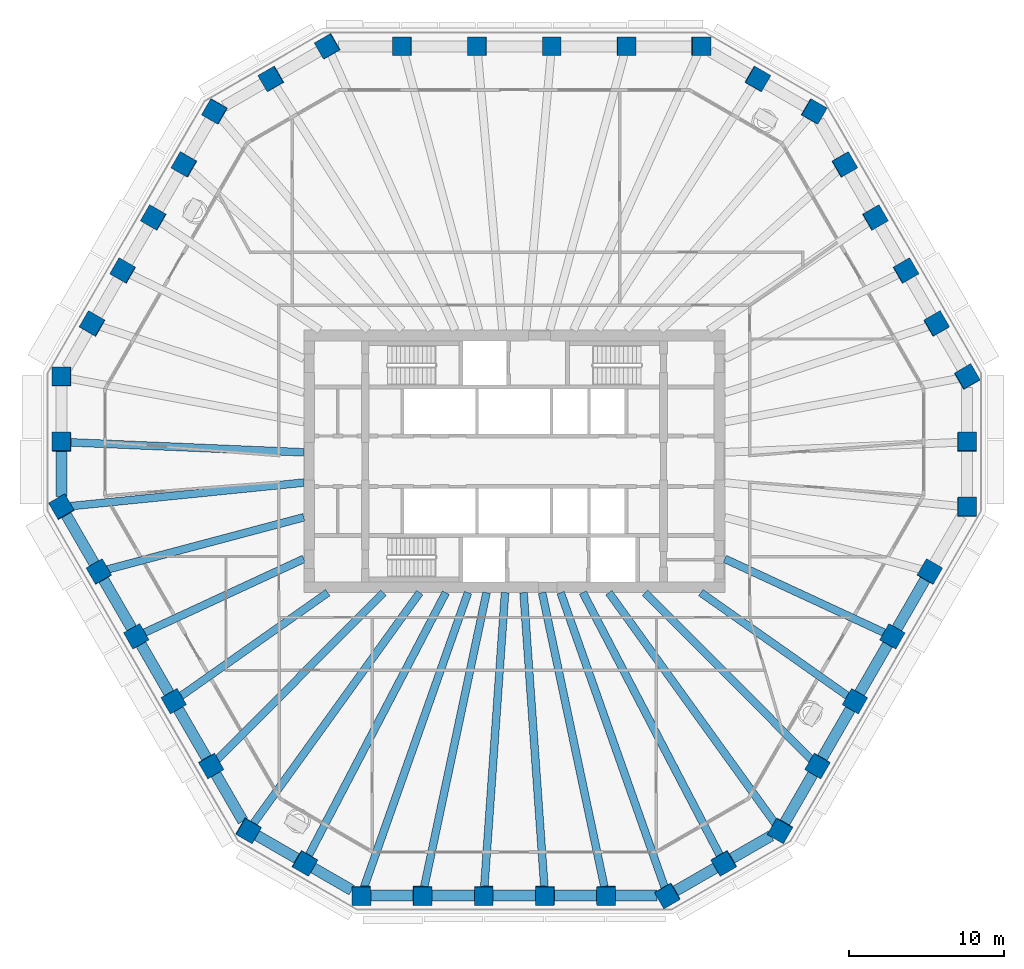
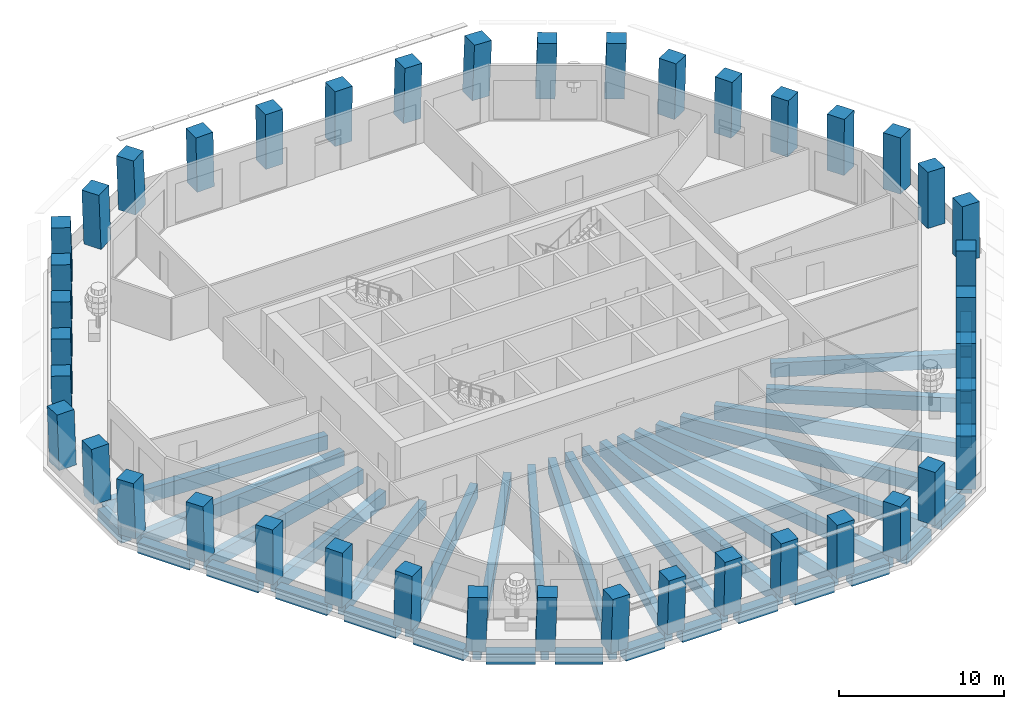
# One storey, part 1 of 13: 42 columns, 38 beams.
"""IFC4 building model written with IfcOpenShell, lengths in metres."""

from ifc_helpers import new_model, si_unit, direction, frame, origin, origin_2d, place, context, subcontext, project, spatial, rectangle, extrude, material, material_profile, profile_set, type_object, element, save


model = new_model("IFC4")

# Units and contexts
model_context = context("Model", 3, precision=1e-05, world=origin(), true_north=direction((0.0, 1.0)))
body_context = subcontext(model_context, "Body", "Model", "MODEL_VIEW")
ifc_project = project(units=[si_unit("LENGTHUNIT", "METRE"), si_unit("AREAUNIT", "SQUARE_METRE"), si_unit("VOLUMEUNIT", "CUBIC_METRE"), si_unit("PLANEANGLEUNIT", "RADIAN"), si_unit("MASSUNIT", "GRAM", prefix="KILO")], contexts=[model_context])

# Site, building, storey
site_placement = place(None, origin())
site = spatial("IfcSite", under=ifc_project, at=site_placement, CompositionType="ELEMENT")
building_placement = place(site_placement, origin())
building = spatial("IfcBuilding", under=site, at=building_placement, Name="Frailejon Research Tower", CompositionType="ELEMENT")
storey_placement = place(building_placement, frame((0.0, 0.0, 184.800048828125)))
storey = spatial("IfcBuildingStorey", under=building, at=storey_placement, Name="L40", CompositionType="ELEMENT", Elevation=184.800048828125)

# Columns
ifc_material_1 = material(Name="Concrete C60/75", Category="concrete")
ifc_material_profile_1 = material_profile(ifc_material_1, rectangle(XDim=1.199951171875, YDim=1.199951171875, at=origin_2d()), Name="Column 1200")
ifc_profile_set_1 = profile_set([ifc_material_profile_1], Name="Concrete C60/75")
column_type = type_object("IfcColumnType", Name="Column 1200", PredefinedType="COLUMN", material=ifc_profile_set_1)
for number, where, z_axis, x_axis, name in (
    (1, (29.13134765625, -2.943115234375, 0.0), (0.018132630042, 0.031385715123, 0.999342856388), (-2.2275817e-05, 0.999507197449, -0.031390472292), "Column C01"),
    (2, (29.13134765625, 1.244384765625, 0.0), (0.018132595726, 0.031445896907, 0.999340965106), (-0.000852885111, 0.999505415626, -0.031435596392), "Column C02"),
    (3, (29.13134765625, 5.431884765625, 0.0), (0.018132595726, 0.031445896907, 0.999340965106), (-0.50065774428, 0.865455051457, -0.018148746509), "Column C03"),
):
    element("IfcColumn", number, at=place(storey_placement, frame(where, z_axis=z_axis, x_axis=x_axis)), inside=storey, type_object=column_type, Name=name, PredefinedType="COLUMN", context=body_context, shape_type="SweptSolid", body=[
        extrude(rectangle(XDim=1.199951171875, YDim=1.199951171875, at=origin_2d()), origin(), (0.0, 0.0, 1.0), 4.052734375),
    ])
column_1_placement = place(storey_placement, frame((27.158935546875, 8.84814453125, 0.0), z_axis=(0.021809609218, 0.025123223878, 0.999446429063), x_axis=(-0.499316957517, 0.86635106376, -0.010881647777)))
element("IfcColumn", 4, at=column_1_placement, inside=storey, type_object=column_type, Name="Column C04", PredefinedType="COLUMN", context=body_context, shape_type="SweptSolid", body=[
    extrude(rectangle(XDim=1.199951171875, YDim=1.199951171875, at=origin_2d()), origin(), (0.0, 0.0, 1.0), 4.05224609375),
])
for number, where, z_axis, x_axis, name in (
    (5, (25.186767578125, 12.26416015625, 0.0), (0.025365582388, 0.018858497119, 0.999500347332), (-0.500321526885, 0.865832042738, -0.003639162491), "Column C05"),
    (6, (23.214599609375, 15.680419921875, 0.0), (0.028980660531, 0.012532177527, 0.999501408624), (-0.499450496938, 0.866334867635, 0.003619147421), "Column C06"),
):
    element("IfcColumn", number, at=place(storey_placement, frame(where, z_axis=z_axis, x_axis=x_axis)), inside=storey, type_object=column_type, Name=name, PredefinedType="COLUMN", context=body_context, shape_type="SweptSolid", body=[
        extrude(rectangle(XDim=1.199951171875, YDim=1.199951171875, at=origin_2d()), origin(), (0.0, 0.0, 1.0), 4.052001953125),
    ])
column_2_placement = place(storey_placement, frame((21.2421875, 19.096435546875, 0.0), z_axis=(0.032654187208, 0.006265748099, 0.999447069363), x_axis=(-0.499519823947, 0.866234008258, 0.010889831076)))
element("IfcColumn", 7, at=column_2_placement, inside=storey, type_object=column_type, Name="Column C07", PredefinedType="COLUMN", context=body_context, shape_type="SweptSolid", body=[
    extrude(rectangle(XDim=1.199951171875, YDim=1.199951171875, at=origin_2d()), origin(), (0.0, 0.0, 1.0), 4.05224609375),
])
for number, where, z_axis, x_axis, name in (
    (8, (19.27001953125, 22.512451171875, 0.0), (0.036265236264, 0.0, 0.999342199969), (-0.865313546461, 0.500246354177, 0.031401456084), "Column C08"),
    (9, (15.643310546875, 24.606201171875, 0.0), (0.036265236264, 0.0, 0.999342199969), (-0.865313546461, 0.500246354177, 0.031401456084), "Column C09"),
    (10, (12.016845703125, 26.699951171875, 0.0), (0.036265236264, 0.0, 0.999342199969), (-0.999342199969, 0.0, 0.036265236264), "Column C10"),
):
    element("IfcColumn", number, at=place(storey_placement, frame(where, z_axis=z_axis, x_axis=x_axis)), inside=storey, type_object=column_type, Name=name, PredefinedType="COLUMN", context=body_context, shape_type="SweptSolid", body=[
        extrude(rectangle(XDim=1.199951171875, YDim=1.199951171875, at=origin_2d()), origin(), (0.0, 0.0, 1.0), 4.052734375),
    ])
column_3_placement = place(storey_placement, frame((7.210205078125, 26.699951171875, 0.0), z_axis=(0.021756257337, 0.0, 0.999763304621), x_axis=(-0.999763304621, 0.0, 0.021756257337)))
element("IfcColumn", 11, at=column_3_placement, inside=storey, type_object=column_type, Name="Column C11", PredefinedType="COLUMN", context=body_context, shape_type="SweptSolid", body=[
    extrude(rectangle(XDim=1.199951171875, YDim=1.199951171875, at=origin_2d()), origin(), (0.0, 0.0, 1.0), 4.051025390625),
])
for number, where, z_axis, x_axis, name in (
    (12, (2.4033203125, 26.699951171875, 0.0), (0.007293795973, 0.0, 0.999973399916), (-0.999973399916, 0.0, 0.007293795973), "Column C12"),
    (13, (-2.4033203125, 26.699951171875, 0.0), (-0.007293795973, 0.0, 0.999973399916), (-0.999973399916, 0.0, -0.007293795973), "Column C13"),
):
    element("IfcColumn", number, at=place(storey_placement, frame(where, z_axis=z_axis, x_axis=x_axis)), inside=storey, type_object=column_type, Name=name, PredefinedType="COLUMN", context=body_context, shape_type="SweptSolid", body=[
        extrude(rectangle(XDim=1.199951171875, YDim=1.199951171875, at=origin_2d()), origin(), (0.0, 0.0, 1.0), 4.050048828125),
    ])
column_4_placement = place(storey_placement, frame((-7.210205078125, 26.699951171875, 0.0), z_axis=(-0.021756257337, 0.0, 0.999763304621), x_axis=(-0.999763304621, 0.0, -0.021756257337)))
element("IfcColumn", 14, at=column_4_placement, inside=storey, type_object=column_type, Name="Column C14", PredefinedType="COLUMN", context=body_context, shape_type="SweptSolid", body=[
    extrude(rectangle(XDim=1.199951171875, YDim=1.199951171875, at=origin_2d()), origin(), (0.0, 0.0, 1.0), 4.051025390625),
])
for number, where, z_axis, x_axis, name in (
    (15, (-12.016845703125, 26.699951171875, 0.0), (-0.036265236264, 0.0, 0.999342199969), (-0.865313546461, -0.500246354177, -0.031401456084), "Column C15"),
    (16, (-15.643310546875, 24.606201171875, 0.0), (-0.036265236264, 0.0, 0.999342199969), (-0.865313546461, -0.500246354177, -0.031401456084), "Column C16"),
    (17, (-19.27001953125, 22.512451171875, 0.0), (-0.036265236264, 0.0, 0.999342199969), (-0.499424867419, -0.866167613071, -0.018123682572), "Column C17"),
):
    element("IfcColumn", number, at=place(storey_placement, frame(where, z_axis=z_axis, x_axis=x_axis)), inside=storey, type_object=column_type, Name=name, PredefinedType="COLUMN", context=body_context, shape_type="SweptSolid", body=[
        extrude(rectangle(XDim=1.199951171875, YDim=1.199951171875, at=origin_2d()), origin(), (0.0, 0.0, 1.0), 4.052734375),
    ])
column_5_placement = place(storey_placement, frame((-21.2421875, 19.096435546875, 0.0), z_axis=(-0.032654187208, 0.006265748099, 0.999447069363), x_axis=(-0.499519823947, -0.866234008258, -0.010889831076)))
element("IfcColumn", 18, at=column_5_placement, inside=storey, type_object=column_type, Name="Column C18", PredefinedType="COLUMN", context=body_context, shape_type="SweptSolid", body=[
    extrude(rectangle(XDim=1.199951171875, YDim=1.199951171875, at=origin_2d()), origin(), (0.0, 0.0, 1.0), 4.05224609375),
])
for number, where, z_axis, x_axis, name in (
    (19, (-23.214599609375, 15.680419921875, 0.0), (-0.028980660531, 0.012532177527, 0.999501408624), (-0.499450496938, -0.866334867635, -0.003619147421), "Column C19"),
    (20, (-25.186767578125, 12.26416015625, 0.0), (-0.025365582388, 0.018858497119, 0.999500347332), (-0.500321526885, -0.865832042738, 0.003639162491), "Column C20"),
):
    element("IfcColumn", number, at=place(storey_placement, frame(where, z_axis=z_axis, x_axis=x_axis)), inside=storey, type_object=column_type, Name=name, PredefinedType="COLUMN", context=body_context, shape_type="SweptSolid", body=[
        extrude(rectangle(XDim=1.199951171875, YDim=1.199951171875, at=origin_2d()), origin(), (0.0, 0.0, 1.0), 4.052001953125),
    ])
column_6_placement = place(storey_placement, frame((-27.158935546875, 8.84814453125, 0.0), z_axis=(-0.021809609218, 0.025123223878, 0.999446429063), x_axis=(-0.499316957517, -0.86635106376, 0.010881647777)))
element("IfcColumn", 21, at=column_6_placement, inside=storey, type_object=column_type, Name="Column C21", PredefinedType="COLUMN", context=body_context, shape_type="SweptSolid", body=[
    extrude(rectangle(XDim=1.199951171875, YDim=1.199951171875, at=origin_2d()), origin(), (0.0, 0.0, 1.0), 4.05224609375),
])
for number, where, z_axis, x_axis, name in (
    (22, (-29.13134765625, 5.431884765625, 0.0), (-0.018132595726, 0.031445896907, 0.999340965106), (-0.000852885111, -0.999505415626, 0.031435596392), "Column C22"),
    (23, (-29.13134765625, 1.244384765625, 0.0), (-0.018132595726, 0.031445896907, 0.999340965106), (-0.000852885111, -0.999505415626, 0.031435596392), "Column C23"),
    (24, (-29.13134765625, -2.943115234375, 0.0), (-0.018132630042, 0.031385715123, 0.999342856388), (0.50014482047, -0.865182814935, 0.036247141934), "Column C24"),
):
    element("IfcColumn", number, at=place(storey_placement, frame(where, z_axis=z_axis, x_axis=x_axis)), inside=storey, type_object=column_type, Name=name, PredefinedType="COLUMN", context=body_context, shape_type="SweptSolid", body=[
        extrude(rectangle(XDim=1.199951171875, YDim=1.199951171875, at=origin_2d()), origin(), (0.0, 0.0, 1.0), 4.052734375),
    ])
column_7_placement = place(storey_placement, frame((-26.727783203125, -7.10595703125, 0.0), z_axis=(-0.010908253887, 0.018863444567, 0.99976256204), x_axis=(0.500638377412, -0.865382225109, 0.021790354016)))
element("IfcColumn", 25, at=column_7_placement, inside=storey, type_object=column_type, Name="Column C25", PredefinedType="COLUMN", context=body_context, shape_type="SweptSolid", body=[
    extrude(rectangle(XDim=1.199951171875, YDim=1.199951171875, at=origin_2d()), origin(), (0.0, 0.0, 1.0), 4.051025390625),
])
for number, where, z_axis, x_axis, name in (
    (26, (-24.32470703125, -11.2685546875, 0.0), (-0.003556481251, 0.006269051696, 0.999974024879), (0.494245814029, -0.869292313203, 0.00720760164), "Column C26"),
    (27, (-21.921142578125, -15.431396484375, 0.0), (0.003616759812, -0.006269050341, 0.999973808685), (0.498177152713, -0.867045063843, -0.007237525818), "Column C27"),
):
    element("IfcColumn", number, at=place(storey_placement, frame(where, z_axis=z_axis, x_axis=x_axis)), inside=storey, type_object=column_type, Name=name, PredefinedType="COLUMN", context=body_context, shape_type="SweptSolid", body=[
        extrude(rectangle(XDim=1.199951171875, YDim=1.199951171875, at=origin_2d()), origin(), (0.0, 0.0, 1.0), 4.050048828125),
    ])
column_8_placement = place(storey_placement, frame((-19.517822265625, -19.593994140625, 0.0), z_axis=(0.010908253887, -0.018863444567, 0.99976256204), x_axis=(0.500638377412, -0.865382225109, -0.021790354016)))
element("IfcColumn", 28, at=column_8_placement, inside=storey, type_object=column_type, Name="Column C28", PredefinedType="COLUMN", context=body_context, shape_type="SweptSolid", body=[
    extrude(rectangle(XDim=1.199951171875, YDim=1.199951171875, at=origin_2d()), origin(), (0.0, 0.0, 1.0), 4.051025390625),
])
for number, where, z_axis, x_axis, name in (
    (29, (-17.114501953125, -23.7568359375, 0.0), (0.018132595726, -0.031445896907, 0.999340965106), (0.865740985748, -0.499504693256, -0.031426215359), "Column C29"),
    (30, (-13.48779296875, -25.8505859375, 0.0), (0.018132595726, -0.031445896907, 0.999340965106), (0.865740985748, -0.499504693256, -0.031426215359), "Column C30"),
    (31, (-9.861328125, -27.944580078125, 0.0), (0.018132630042, -0.031385715123, 0.999342856388), (0.999835590341, 0.00057309768, -0.018123571572), "Column C31"),
):
    element("IfcColumn", number, at=place(storey_placement, frame(where, z_axis=z_axis, x_axis=x_axis)), inside=storey, type_object=column_type, Name=name, PredefinedType="COLUMN", context=body_context, shape_type="SweptSolid", body=[
        extrude(rectangle(XDim=1.199951171875, YDim=1.199951171875, at=origin_2d()), origin(), (0.0, 0.0, 1.0), 4.052734375),
    ])
column_9_placement = place(storey_placement, frame((-5.916748046875, -27.944580078125, 0.0), z_axis=(0.010844578562, -0.031389030172, 0.999448409824), x_axis=(0.999940901456, -0.000426521309, -0.010863317853)))
element("IfcColumn", 32, at=column_9_placement, inside=storey, type_object=column_type, Name="Column C32", PredefinedType="COLUMN", context=body_context, shape_type="SweptSolid", body=[
    extrude(rectangle(XDim=1.199951171875, YDim=1.199951171875, at=origin_2d()), origin(), (0.0, 0.0, 1.0), 4.05224609375),
])
for number, where, z_axis, x_axis, name in (
    (33, (-1.972412109375, -27.944580078125, 0.0), (0.003675298481, -0.031390664074, 0.999500434412), (0.999992304508, 0.001486966471, -0.003630406959), "Column C33"),
    (34, (1.972412109375, -27.944580078125, 0.0), (-0.003675298481, -0.031390664074, 0.999500434412), (0.999992304508, -0.001486966471, 0.003630406959), "Column C34"),
):
    element("IfcColumn", number, at=place(storey_placement, frame(where, z_axis=z_axis, x_axis=x_axis)), inside=storey, type_object=column_type, Name=name, PredefinedType="COLUMN", context=body_context, shape_type="SweptSolid", body=[
        extrude(rectangle(XDim=1.199951171875, YDim=1.199951171875, at=origin_2d()), origin(), (0.0, 0.0, 1.0), 4.052001953125),
    ])
column_10_placement = place(storey_placement, frame((5.916748046875, -27.944580078125, 0.0), z_axis=(-0.010844578562, -0.031389030172, 0.999448409824), x_axis=(0.999940901456, 0.000426521309, 0.010863317853)))
element("IfcColumn", 35, at=column_10_placement, inside=storey, type_object=column_type, Name="Column C35", PredefinedType="COLUMN", context=body_context, shape_type="SweptSolid", body=[
    extrude(rectangle(XDim=1.199951171875, YDim=1.199951171875, at=origin_2d()), origin(), (0.0, 0.0, 1.0), 4.05224609375),
])
for number, where, z_axis, x_axis, name in (
    (36, (9.861328125, -27.944580078125, 0.0), (-0.018132630042, -0.031385715123, 0.999342856388), (0.865884970752, 0.499257274245, 0.031390946777), "Column C36"),
    (37, (13.48779296875, -25.8505859375, 0.0), (-0.018132595726, -0.031445896907, 0.999340965106), (0.865740985748, 0.499504693256, 0.031426215359), "Column C37"),
    (38, (17.114501953125, -23.7568359375, 0.0), (-0.018132595726, -0.031445896907, 0.999340965106), (0.499425428362, 0.865596098728, 0.036299247542), "Column C38"),
):
    element("IfcColumn", number, at=place(storey_placement, frame(where, z_axis=z_axis, x_axis=x_axis)), inside=storey, type_object=column_type, Name=name, PredefinedType="COLUMN", context=body_context, shape_type="SweptSolid", body=[
        extrude(rectangle(XDim=1.199951171875, YDim=1.199951171875, at=origin_2d()), origin(), (0.0, 0.0, 1.0), 4.052734375),
    ])
column_11_placement = place(storey_placement, frame((19.517822265625, -19.593994140625, 0.0), z_axis=(-0.010908253887, -0.018863444567, 0.99976256204), x_axis=(0.500638377412, 0.865382225109, 0.021790354016)))
element("IfcColumn", 39, at=column_11_placement, inside=storey, type_object=column_type, Name="Column C39", PredefinedType="COLUMN", context=body_context, shape_type="SweptSolid", body=[
    extrude(rectangle(XDim=1.199951171875, YDim=1.199951171875, at=origin_2d()), origin(), (0.0, 0.0, 1.0), 4.051025390625),
])
for number, where, z_axis, x_axis, name in (
    (40, (21.921142578125, -15.431396484375, 0.0), (-0.003616759812, -0.006269050341, 0.999973808685), (0.498177152713, 0.867045063843, 0.007237525818), "Column C40"),
    (41, (24.32470703125, -11.2685546875, 0.0), (0.003556481251, 0.006269051696, 0.999974024879), (0.494245814029, 0.869292313203, -0.00720760164), "Column C41"),
):
    element("IfcColumn", number, at=place(storey_placement, frame(where, z_axis=z_axis, x_axis=x_axis)), inside=storey, type_object=column_type, Name=name, PredefinedType="COLUMN", context=body_context, shape_type="SweptSolid", body=[
        extrude(rectangle(XDim=1.199951171875, YDim=1.199951171875, at=origin_2d()), origin(), (0.0, 0.0, 1.0), 4.050048828125),
    ])
column_12_placement = place(storey_placement, frame((26.727783203125, -7.10595703125, 0.0), z_axis=(0.010908253887, 0.018863444567, 0.99976256204), x_axis=(0.500638377412, 0.865382225109, -0.021790354016)))
element("IfcColumn", 42, at=column_12_placement, inside=storey, type_object=column_type, Name="Column C42", PredefinedType="COLUMN", context=body_context, shape_type="SweptSolid", body=[
    extrude(rectangle(XDim=1.199951171875, YDim=1.199951171875, at=origin_2d()), origin(), (0.0, 0.0, 1.0), 4.051025390625),
])

# Beams
ifc_material_2 = material(Name="Concrete C60/75", Category="concrete")
ifc_material_profile_2 = material_profile(ifc_material_2, rectangle(XDim=0.5, YDim=1.050048828125, at=origin_2d()), Name="Girder 500x1050")
ifc_profile_set_2 = profile_set([ifc_material_profile_2], Name="Concrete C60/75")
beam_type_1 = type_object("IfcBeamType", Name="Girder 500x1050", PredefinedType="BEAM", material=ifc_profile_set_2)
beam_1_placement = place(storey_placement, frame((-28.68115234375, 1.225341796875, -0.824951171875), z_axis=(0.999088512393, -0.042686583423, 0.0), x_axis=(0.042686583423, 0.999088512393, 0.0)))
element("IfcBeam", 43, at=beam_1_placement, inside=storey, type_object=beam_type_1, Name="Girder 500x1050", PredefinedType="BEAM", context=body_context, shape_type="SweptSolid", body=[
    extrude(rectangle(XDim=0.5, YDim=1.050048828125, at=origin_2d()), origin(), (0.0, 0.0, 1.0), 15.14501953125),
])
beam_2_placement = place(storey_placement, frame((-28.6259765625, -2.89208984375, -0.824951171875), z_axis=(0.99493473148, 0.100523032659, 0.0), x_axis=(-0.100523032659, 0.99493473148, 0.0)))
element("IfcBeam", 44, at=beam_2_placement, inside=storey, type_object=beam_type_1, Name="Girder 500x1050", PredefinedType="BEAM", context=body_context, shape_type="SweptSolid", body=[
    extrude(rectangle(XDim=0.5, YDim=1.050048828125, at=origin_2d()), origin(), (0.0, 0.0, 1.0), 15.152587890625),
])
beam_3_placement = place(storey_placement, frame((-26.272216796875, -6.98486328125, -0.824951171875), z_axis=(0.966423984954, 0.256952683008, 0.0), x_axis=(-0.256952683008, 0.966423984954, 0.0)))
element("IfcBeam", 45, at=beam_3_placement, inside=storey, type_object=beam_type_1, Name="Girder 500x1050", PredefinedType="BEAM", context=body_context, shape_type="SweptSolid", body=[
    extrude(rectangle(XDim=0.5, YDim=1.050048828125, at=origin_2d()), origin(), (0.0, 0.0, 1.0), 13.1640625),
])
beam_4_placement = place(storey_placement, frame((-23.9140625, -11.078369140625, -0.824951171875), z_axis=(0.907362904935, 0.420348139937, 0.0), x_axis=(-0.420348139937, 0.907362904935, 0.0)))
element("IfcBeam", 46, at=beam_4_placement, inside=storey, type_object=beam_type_1, Name="Girder 500x1050", PredefinedType="BEAM", context=body_context, shape_type="SweptSolid", body=[
    extrude(rectangle(XDim=0.5, YDim=1.050048828125, at=origin_2d()), origin(), (0.0, 0.0, 1.0), 11.422119140625),
])
beam_5_placement = place(storey_placement, frame((-21.55126953125, -15.1708984375, -0.824951171875), z_axis=(0.817715288836, 0.57562288558, 0.0), x_axis=(-0.57562288558, 0.817715288836, 0.0)))
element("IfcBeam", 47, at=beam_5_placement, inside=storey, type_object=beam_type_1, Name="Girder 500x1050", PredefinedType="BEAM", context=body_context, shape_type="SweptSolid", body=[
    extrude(rectangle(XDim=0.5, YDim=1.050048828125, at=origin_2d()), origin(), (0.0, 0.0, 1.0), 11.676025390625),
])
beam_6_placement = place(storey_placement, frame((-19.18505859375, -19.260009765625, -0.824951171875), z_axis=(0.705729377159, 0.70848150732, 0.0), x_axis=(-0.70848150732, 0.705729377159, 0.0)))
element("IfcBeam", 48, at=beam_6_placement, inside=storey, type_object=beam_type_1, Name="Girder 500x1050", PredefinedType="BEAM", context=body_context, shape_type="SweptSolid", body=[
    extrude(rectangle(XDim=0.5, YDim=1.050048828125, at=origin_2d()), origin(), (0.0, 0.0, 1.0), 15.258056640625),
])
beam_7_placement = place(storey_placement, frame((-16.849609375, -23.389404296875, -0.824951171875), z_axis=(0.584512194529, 0.811384923724, 0.0), x_axis=(-0.811384923724, 0.584512194529, 0.0)))
element("IfcBeam", 49, at=beam_7_placement, inside=storey, type_object=beam_type_1, Name="Girder 500x1050", PredefinedType="BEAM", context=body_context, shape_type="SweptSolid", body=[
    extrude(rectangle(XDim=0.5, YDim=1.050048828125, at=origin_2d()), origin(), (0.0, 0.0, 1.0), 18.412353515625),
])
beam_8_placement = place(storey_placement, frame((-13.279541015625, -25.451416015625, -0.824951171875), z_axis=(0.462577319122, 0.886578943938, 0.0), x_axis=(-0.886578943938, 0.462577319122, 0.0)))
element("IfcBeam", 50, at=beam_8_placement, inside=storey, type_object=beam_type_1, Name="Girder 500x1050", PredefinedType="BEAM", context=body_context, shape_type="SweptSolid", body=[
    extrude(rectangle(XDim=0.5, YDim=1.050048828125, at=origin_2d()), origin(), (0.0, 0.0, 1.0), 19.176513671875),
])
beam_9_placement = place(storey_placement, frame((-9.69970703125, -27.486083984375, -0.824951171875), z_axis=(0.332782160495, 0.943003729397, 0.0), x_axis=(-0.943003729397, 0.332782160495, 0.0)))
element("IfcBeam", 51, at=beam_9_placement, inside=storey, type_object=beam_type_1, Name="Girder 500x1050", PredefinedType="BEAM", context=body_context, shape_type="SweptSolid", body=[
    extrude(rectangle(XDim=0.5, YDim=1.050048828125, at=origin_2d()), origin(), (0.0, 0.0, 1.0), 20.186767578125),
])
beam_10_placement = place(storey_placement, frame((-5.82080078125, -27.4912109375, -0.824951171875), z_axis=(0.207132448718, 0.978312909395, 0.0), x_axis=(-0.978312909395, 0.207132448718, 0.0)))
element("IfcBeam", 52, at=beam_10_placement, inside=storey, type_object=beam_type_1, Name="Girder 500x1050", PredefinedType="BEAM", context=body_context, shape_type="SweptSolid", body=[
    extrude(rectangle(XDim=0.5, YDim=1.050048828125, at=origin_2d()), origin(), (0.0, 0.0, 1.0), 19.46337890625),
])
for number, where, z_axis, x_axis, name in (
    (53, (-1.9404296875, -27.494140625, -0.824951171875), (0.070397311318, 0.997519031678, 0.0), (-0.997519031678, 0.070397311318, 0.0), "Girder 500x1050"),
    (54, (1.9404296875, -27.494140625, -0.824951171875), (-0.070397311318, 0.997519031678, 0.0), (-0.997519031678, -0.070397311318, 0.0), "Girder 500x1050"),
):
    element("IfcBeam", number, at=place(storey_placement, frame(where, z_axis=z_axis, x_axis=x_axis)), inside=storey, type_object=beam_type_1, Name=name, PredefinedType="BEAM", context=body_context, shape_type="SweptSolid", body=[
        extrude(rectangle(XDim=0.5, YDim=1.050048828125, at=origin_2d()), origin(), (0.0, 0.0, 1.0), 19.091552734375),
    ])
beam_11_placement = place(storey_placement, frame((5.82080078125, -27.4912109375, -0.824951171875), z_axis=(-0.207132448718, 0.978312909395, 0.0), x_axis=(-0.978312909395, -0.207132448718, 0.0)))
element("IfcBeam", 55, at=beam_11_placement, inside=storey, type_object=beam_type_1, Name="Girder 500x1050", PredefinedType="BEAM", context=body_context, shape_type="SweptSolid", body=[
    extrude(rectangle(XDim=0.5, YDim=1.050048828125, at=origin_2d()), origin(), (0.0, 0.0, 1.0), 19.46337890625),
])
beam_12_placement = place(storey_placement, frame((9.708251953125, -27.510498046875, -0.824951171875), z_axis=(-0.332779049989, 0.943004827076, 0.0), x_axis=(-0.943004827076, -0.332779049989, 0.0)))
element("IfcBeam", 56, at=beam_12_placement, inside=storey, type_object=beam_type_1, Name="Girder 500x1050", PredefinedType="BEAM", context=body_context, shape_type="SweptSolid", body=[
    extrude(rectangle(XDim=0.5, YDim=1.050048828125, at=origin_2d()), origin(), (0.0, 0.0, 1.0), 20.212646484375),
])
beam_13_placement = place(storey_placement, frame((13.279541015625, -25.451416015625, -0.824951171875), z_axis=(-0.462577319122, 0.886578943938, 0.0), x_axis=(-0.886578943938, -0.462577319122, 0.0)))
element("IfcBeam", 57, at=beam_13_placement, inside=storey, type_object=beam_type_1, Name="Girder 500x1050", PredefinedType="BEAM", context=body_context, shape_type="SweptSolid", body=[
    extrude(rectangle(XDim=0.5, YDim=1.050048828125, at=origin_2d()), origin(), (0.0, 0.0, 1.0), 19.176513671875),
])
beam_14_placement = place(storey_placement, frame((16.8173828125, -23.3447265625, -0.824951171875), z_axis=(-0.58451071532, 0.811385989327, 0.0), x_axis=(-0.811385989327, -0.58451071532, 0.0)))
element("IfcBeam", 58, at=beam_14_placement, inside=storey, type_object=beam_type_1, Name="Girder 500x1050", PredefinedType="BEAM", context=body_context, shape_type="SweptSolid", body=[
    extrude(rectangle(XDim=0.5, YDim=1.050048828125, at=origin_2d()), origin(), (0.0, 0.0, 1.0), 18.357177734375),
])
beam_15_placement = place(storey_placement, frame((19.18505859375, -19.260009765625, -0.824951171875), z_axis=(-0.705729377159, 0.70848150732, 0.0), x_axis=(-0.70848150732, -0.705729377159, 0.0)))
element("IfcBeam", 59, at=beam_15_placement, inside=storey, type_object=beam_type_1, Name="Girder 500x1050", PredefinedType="BEAM", context=body_context, shape_type="SweptSolid", body=[
    extrude(rectangle(XDim=0.5, YDim=1.050048828125, at=origin_2d()), origin(), (0.0, 0.0, 1.0), 15.258056640625),
])
beam_16_placement = place(storey_placement, frame((21.55126953125, -15.1708984375, -0.824951171875), z_axis=(-0.817715288836, 0.57562288558, 0.0), x_axis=(-0.57562288558, -0.817715288836, 0.0)))
element("IfcBeam", 60, at=beam_16_placement, inside=storey, type_object=beam_type_1, Name="Girder 500x1050", PredefinedType="BEAM", context=body_context, shape_type="SweptSolid", body=[
    extrude(rectangle(XDim=0.5, YDim=1.050048828125, at=origin_2d()), origin(), (0.0, 0.0, 1.0), 11.676025390625),
])
beam_17_placement = place(storey_placement, frame((23.9140625, -11.078369140625, -0.824951171875), z_axis=(-0.907362904935, 0.420348139937, 0.0), x_axis=(-0.420348139937, -0.907362904935, 0.0)))
element("IfcBeam", 61, at=beam_17_placement, inside=storey, type_object=beam_type_1, Name="Girder 500x1050", PredefinedType="BEAM", context=body_context, shape_type="SweptSolid", body=[
    extrude(rectangle(XDim=0.5, YDim=1.050048828125, at=origin_2d()), origin(), (0.0, 0.0, 1.0), 11.422119140625),
])
ifc_material_3 = material(Name="Concrete C60/75", Category="concrete")
ifc_material_profile_3 = material_profile(ifc_material_3, rectangle(XDim=0.699951171875, YDim=0.800048828125, at=origin_2d()), Name="Spandrel 700x800")
ifc_profile_set_3 = profile_set([ifc_material_profile_3], Name="Concrete C60/75")
beam_type_2 = type_object("IfcBeamType", Name="Spandrel 700x800", PredefinedType="BEAM", material=ifc_profile_set_3)
beam_18_placement = place(storey_placement, frame((-29.13134765625, 0.64453125, -0.75), z_axis=(0.0, -1.0, 0.0), x_axis=(1.0, 0.0, 0.0)))
element("IfcBeam", 62, at=beam_18_placement, inside=storey, type_object=beam_type_2, Name="Spandrel 700x800", PredefinedType="BEAM", context=body_context, shape_type="SweptSolid", body=[
    extrude(rectangle(XDim=0.699951171875, YDim=0.800048828125, at=origin_2d()), origin(), (0.0, 0.0, 1.0), 2.894775390625),
])
for number, where, z_axis, x_axis, name in (
    (63, (-28.831298828125, -3.462646484375, -0.75), (0.500019324569, -0.866014246452, 0.0), (0.866014246452, 0.500019324569, 0.0), "Spandrel 700x800"),
    (64, (-26.427978515625, -7.62548828125, -0.75), (0.500019324569, -0.866014246452, 0.0), (0.866014246452, 0.500019324569, 0.0), "Spandrel 700x800"),
):
    element("IfcBeam", number, at=place(storey_placement, frame(where, z_axis=z_axis, x_axis=x_axis)), inside=storey, type_object=beam_type_2, Name=name, PredefinedType="BEAM", context=body_context, shape_type="SweptSolid", body=[
        extrude(rectangle(XDim=0.699951171875, YDim=0.800048828125, at=origin_2d()), origin(), (0.0, 0.0, 1.0), 3.606689453125),
    ])
beam_19_placement = place(storey_placement, frame((-24.024658203125, -11.7880859375, -0.75), z_axis=(0.499990015009, -0.866031168545, 0.0), x_axis=(0.866031168545, 0.499990015009, 0.0)))
element("IfcBeam", 65, at=beam_19_placement, inside=storey, type_object=beam_type_2, Name="Spandrel 700x800", PredefinedType="BEAM", context=body_context, shape_type="SweptSolid", body=[
    extrude(rectangle(XDim=0.699951171875, YDim=0.800048828125, at=origin_2d()), origin(), (0.0, 0.0, 1.0), 3.60693359375),
])
beam_20_placement = place(storey_placement, frame((-21.62109375, -15.950927734375, -0.75), z_axis=(0.499968556481, -0.866043556948, 0.0), x_axis=(0.866043556948, 0.499968556481, 0.0)))
element("IfcBeam", 66, at=beam_20_placement, inside=storey, type_object=beam_type_2, Name="Spandrel 700x800", PredefinedType="BEAM", context=body_context, shape_type="SweptSolid", body=[
    extrude(rectangle(XDim=0.699951171875, YDim=0.800048828125, at=origin_2d()), origin(), (0.0, 0.0, 1.0), 3.606689453125),
])
beam_21_placement = place(storey_placement, frame((-19.2177734375, -20.11376953125, -0.75), z_axis=(0.500017137554, -0.866015509187, 0.0), x_axis=(0.866015509187, 0.500017137554, 0.0)))
element("IfcBeam", 67, at=beam_21_placement, inside=storey, type_object=beam_type_2, Name="Spandrel 700x800", PredefinedType="BEAM", context=body_context, shape_type="SweptSolid", body=[
    extrude(rectangle(XDim=0.699951171875, YDim=0.800048828125, at=origin_2d()), origin(), (0.0, 0.0, 1.0), 3.51416015625),
])
beam_22_placement = place(storey_placement, frame((-16.5947265625, -24.056884765625, -0.75), z_axis=(0.865996414055, -0.500050208323, 0.0), x_axis=(0.500050208323, 0.865996414055, 0.0)))
element("IfcBeam", 68, at=beam_22_placement, inside=storey, type_object=beam_type_2, Name="Spandrel 700x800", PredefinedType="BEAM", context=body_context, shape_type="SweptSolid", body=[
    extrude(rectangle(XDim=0.699951171875, YDim=0.800048828125, at=origin_2d()), origin(), (0.0, 0.0, 1.0), 2.987548828125),
])
beam_23_placement = place(storey_placement, frame((-12.96826171875, -26.150634765625, -0.75), z_axis=(0.865997375625, -0.500048543054, 0.0), x_axis=(0.500048543054, 0.865997375625, 0.0)))
element("IfcBeam", 69, at=beam_23_placement, inside=storey, type_object=beam_type_2, Name="Spandrel 700x800", PredefinedType="BEAM", context=body_context, shape_type="SweptSolid", body=[
    extrude(rectangle(XDim=0.699951171875, YDim=0.800048828125, at=origin_2d()), origin(), (0.0, 0.0, 1.0), 2.894775390625),
])
for number, where, z_axis, x_axis, name in (
    (70, (-9.261474609375, -27.944580078125, -0.75), (1.0, 0.0, 0.0), (0.0, 1.0, 0.0), "Spandrel 700x800"),
    (71, (-5.31689453125, -27.944580078125, -0.75), (1.0, 0.0, 0.0), (0.0, 1.0, 0.0), "Spandrel 700x800"),
    (72, (-1.372314453125, -27.944580078125, -0.75), (1.0, 0.0, 0.0), (0.0, 1.0, 0.0), "Spandrel 700x800"),
    (73, (2.572265625, -27.944580078125, -0.75), (1.0, 0.0, 0.0), (0.0, 1.0, 0.0), "Spandrel 700x800"),
):
    element("IfcBeam", number, at=place(storey_placement, frame(where, z_axis=z_axis, x_axis=x_axis)), inside=storey, type_object=beam_type_2, Name=name, PredefinedType="BEAM", context=body_context, shape_type="SweptSolid", body=[
        extrude(rectangle(XDim=0.699951171875, YDim=0.800048828125, at=origin_2d()), origin(), (0.0, 0.0, 1.0), 2.74462890625),
    ])
beam_24_placement = place(storey_placement, frame((6.516845703125, -27.944580078125, -0.75), z_axis=(1.0, 0.0, 0.0), x_axis=(0.0, 1.0, 0.0)))
element("IfcBeam", 74, at=beam_24_placement, inside=storey, type_object=beam_type_2, Name="Spandrel 700x800", PredefinedType="BEAM", context=body_context, shape_type="SweptSolid", body=[
    extrude(rectangle(XDim=0.699951171875, YDim=0.800048828125, at=origin_2d()), origin(), (0.0, 0.0, 1.0), 2.65185546875),
])
beam_25_placement = place(storey_placement, frame((10.381103515625, -27.64453125, -0.75), z_axis=(0.865996414055, 0.500050208323, 0.0), x_axis=(-0.500050208323, 0.865996414055, 0.0)))
element("IfcBeam", 75, at=beam_25_placement, inside=storey, type_object=beam_type_2, Name="Spandrel 700x800", PredefinedType="BEAM", context=body_context, shape_type="SweptSolid", body=[
    extrude(rectangle(XDim=0.699951171875, YDim=0.800048828125, at=origin_2d()), origin(), (0.0, 0.0, 1.0), 2.987548828125),
])
beam_26_placement = place(storey_placement, frame((14.007568359375, -25.55078125, -0.75), z_axis=(0.865997375625, 0.500048543054, 0.0), x_axis=(-0.500048543054, 0.865997375625, 0.0)))
element("IfcBeam", 76, at=beam_26_placement, inside=storey, type_object=beam_type_2, Name="Spandrel 700x800", PredefinedType="BEAM", context=body_context, shape_type="SweptSolid", body=[
    extrude(rectangle(XDim=0.699951171875, YDim=0.800048828125, at=origin_2d()), origin(), (0.0, 0.0, 1.0), 2.894775390625),
])
for number, where, z_axis, x_axis, name in (
    (77, (17.414306640625, -23.2373046875, -0.75), (0.500019324569, 0.866014246452, 0.0), (-0.866014246452, 0.500019324569, 0.0), "Spandrel 700x800"),
    (78, (19.81787109375, -19.074462890625, -0.75), (0.499968556481, 0.866043556948, 0.0), (-0.866043556948, 0.499968556481, 0.0), "Spandrel 700x800"),
):
    element("IfcBeam", number, at=place(storey_placement, frame(where, z_axis=z_axis, x_axis=x_axis)), inside=storey, type_object=beam_type_2, Name=name, PredefinedType="BEAM", context=body_context, shape_type="SweptSolid", body=[
        extrude(rectangle(XDim=0.699951171875, YDim=0.800048828125, at=origin_2d()), origin(), (0.0, 0.0, 1.0), 3.606689453125),
    ])
beam_27_placement = place(storey_placement, frame((22.22119140625, -14.911865234375, -0.75), z_axis=(0.499990015009, 0.866031168545, 0.0), x_axis=(-0.866031168545, 0.499990015009, 0.0)))
element("IfcBeam", 79, at=beam_27_placement, inside=storey, type_object=beam_type_2, Name="Spandrel 700x800", PredefinedType="BEAM", context=body_context, shape_type="SweptSolid", body=[
    extrude(rectangle(XDim=0.699951171875, YDim=0.800048828125, at=origin_2d()), origin(), (0.0, 0.0, 1.0), 3.60693359375),
])
beam_28_placement = place(storey_placement, frame((24.62451171875, -10.7490234375, -0.75), z_axis=(0.500019324569, 0.866014246452, 0.0), x_axis=(-0.866014246452, 0.500019324569, 0.0)))
element("IfcBeam", 80, at=beam_28_placement, inside=storey, type_object=beam_type_2, Name="Spandrel 700x800", PredefinedType="BEAM", context=body_context, shape_type="SweptSolid", body=[
    extrude(rectangle(XDim=0.699951171875, YDim=0.800048828125, at=origin_2d()), origin(), (0.0, 0.0, 1.0), 3.606689453125),
])

save(model, "model.ifc")
